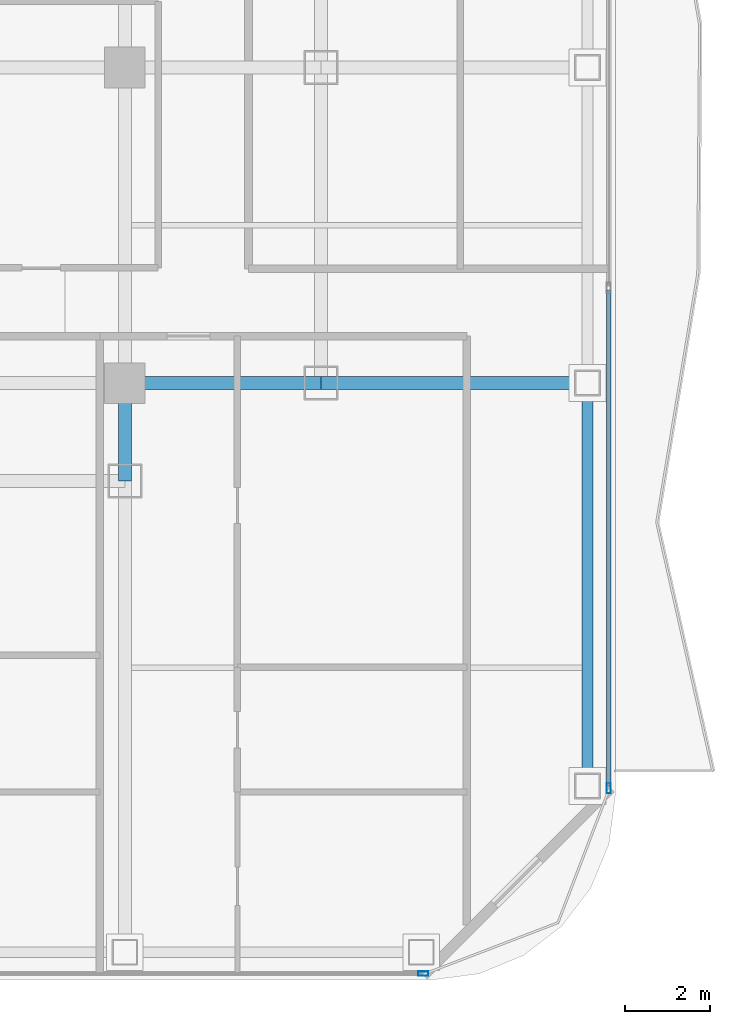
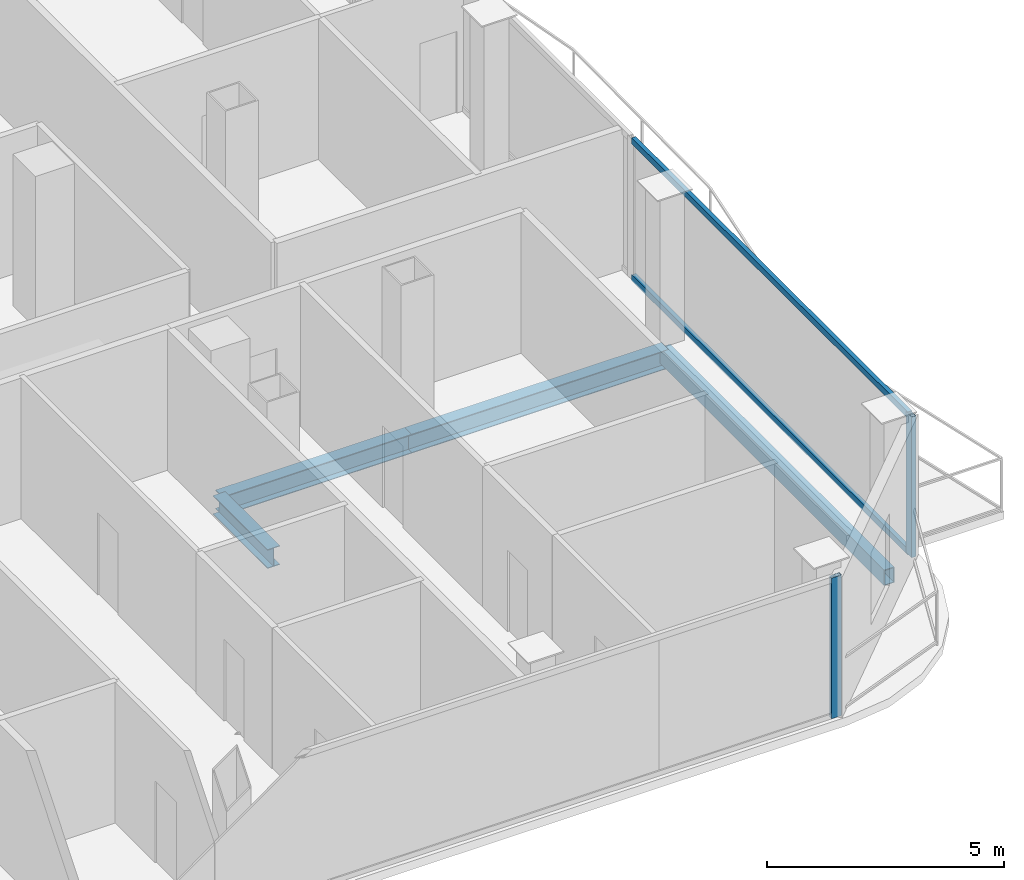
# One storey, part 10 of 26: 4 beams, 4 members, 2 elements without a shape of their own.
"""IFC4 building model written with IfcOpenShell, lengths in metres."""

from ifc_helpers import new_model, si_unit, direction, frame, origin, origin_2d, place, context, subcontext, project, spatial, hollow_rectangle, i_section, extrude, material, layer, layer_set, material_profile, profile_set, type_object, element, aggregate, save


model = new_model("IFC4")

# Units and contexts
model_context = context("Model", 3, precision=1e-05, world=origin(), true_north=direction((0.0, 1.0)))
body_context = subcontext(model_context, "Body", "Model", "MODEL_VIEW")
ifc_project = project(units=[si_unit("LENGTHUNIT", "METRE"), si_unit("AREAUNIT", "SQUARE_METRE"), si_unit("VOLUMEUNIT", "CUBIC_METRE"), si_unit("PLANEANGLEUNIT", "RADIAN"), si_unit("MASSUNIT", "GRAM", prefix="KILO")], contexts=[model_context])

# Site, building, storey
site_placement = place(None, origin())
site = spatial("IfcSite", under=ifc_project, at=site_placement, CompositionType="ELEMENT")
building_placement = place(site_placement, origin())
building = spatial("IfcBuilding", under=site, at=building_placement, Name="Khorvyn Point Tower", CompositionType="ELEMENT")
storey_placement = place(building_placement, frame((0.0, 0.0, 250.800048828125)))
storey = spatial("IfcBuildingStorey", under=building, at=storey_placement, Name="L61", CompositionType="ELEMENT", Elevation=250.800048828125)

# Curtain wall, member
ifc_material_1 = material(Name="Anodised aluminium 6063-T6 and laminated Low-E glass", Category="aluminium")
ifc_layer = layer(ifc_material_1, 0.18994140625)
ifc_layer_set = layer_set([ifc_layer], Name="Stick-Built Acoustic Curtain Wall CW-SYS-03")
curtain_wall_type = type_object("IfcCurtainWallType", Name="Stick-Built Acoustic Curtain Wall CW-SYS-03", PredefinedType="NOTDEFINED", material=ifc_layer_set)
curtain_wall_1_placement = place(storey_placement, origin())
curtain_wall_1 = element("IfcCurtainWall", 1, at=curtain_wall_1_placement, inside=storey, type_object=curtain_wall_type, Name="Curtain Wall", PredefinedType="NOTDEFINED")
ifc_material_2 = material(Name="Anodised aluminium 6063-T6", Category="aluminium")
ifc_material_profile_1 = material_profile(ifc_material_2, hollow_rectangle(XDim=0.10009765625, YDim=0.239990234375, WallThickness=0.0048828125, at=origin_2d()))
ifc_profile_set_1 = profile_set([ifc_material_profile_1], Name="Anodised aluminium 6063-T6 ALU-MUL-100x240")
member_type_1 = type_object("IfcMemberType", Name="Anodised Aluminium 6063-T6 Mullion ALU-MUL-100x240", PredefinedType="MULLION", material=ifc_profile_set_1)
member_1_placement = place(storey_placement, frame((21.800048828125, -28.64990234375, 0.0), z_axis=(0.0, 0.0, 1.0), x_axis=(0.0, -1.0, 0.0)))
member_1 = element("IfcMember", 2, at=member_1_placement, type_object=member_type_1, Name="Transom", PredefinedType="MULLION", context=body_context, shape_type="SweptSolid", body=[
    extrude(hollow_rectangle(XDim=0.10009765625, YDim=0.239990234375, WallThickness=0.0048828125, at=origin_2d()), origin(), (0.0, 0.0, 1.0), 3.619873046875),
])
aggregate(curtain_wall_1, [member_1])

# Curtain wall, members
curtain_wall_2_placement = place(storey_placement, origin())
curtain_wall_2 = element("IfcCurtainWall", 3, at=curtain_wall_2_placement, inside=storey, type_object=curtain_wall_type, Name="Curtain Wall", PredefinedType="NOTDEFINED")
member_2_placement = place(storey_placement, frame((26.14990234375, -24.300048828125, 0.0), z_axis=(0.0, 0.0, 1.0), x_axis=(1.0, 0.0, 0.0)))
member_2 = element("IfcMember", 4, at=member_2_placement, type_object=member_type_1, Name="Transom", PredefinedType="MULLION", context=body_context, shape_type="SweptSolid", body=[
    extrude(hollow_rectangle(XDim=0.10009765625, YDim=0.239990234375, WallThickness=0.0048828125, at=origin_2d()), origin(), (0.0, 0.0, 1.0), 3.619873046875),
])
ifc_material_profile_2 = material_profile(ifc_material_2, hollow_rectangle(XDim=0.10009765625, YDim=0.159912109375, WallThickness=0.00439453125, at=origin_2d()))
ifc_profile_set_2 = profile_set([ifc_material_profile_2], Name="Anodised aluminium 6063-T6 ALU-TRN-100x160")
member_type_2 = type_object("IfcMemberType", Name="Anodised Aluminium 6063-T6 Transom ALU-TRN-100x160", PredefinedType="USERDEFINED", material=ifc_profile_set_2)
member_3_placement = place(storey_placement, frame((26.14990234375, -12.618408203125, 0.050048828125), z_axis=(0.0, -1.0, 0.0), x_axis=(1.0, 0.0, 0.0)))
member_3 = element("IfcMember", 5, at=member_3_placement, type_object=member_type_2, Name="Transom", ObjectType="TRANSOM", PredefinedType="USERDEFINED", context=body_context, shape_type="SweptSolid", body=[
    extrude(hollow_rectangle(XDim=0.10009765625, YDim=0.159912109375, WallThickness=0.00439453125, at=origin_2d()), origin(), (0.0, 0.0, 1.0), 11.631591796875),
])
member_4_placement = place(storey_placement, frame((26.14990234375, -12.618408203125, 3.570068359375), z_axis=(0.0, -1.0, 0.0), x_axis=(1.0, 0.0, 0.0)))
member_4 = element("IfcMember", 6, at=member_4_placement, type_object=member_type_2, Name="Transom", ObjectType="TRANSOM", PredefinedType="USERDEFINED", context=body_context, shape_type="SweptSolid", body=[
    extrude(hollow_rectangle(XDim=0.10009765625, YDim=0.159912109375, WallThickness=0.00439453125, at=origin_2d()), origin(), (0.0, 0.0, 1.0), 11.631591796875),
])
aggregate(curtain_wall_2, [member_2, member_3, member_4])

# Beams
ifc_material_3 = material(Name="Steel S355", Category="steel")
ifc_material_profile_3 = material_profile(ifc_material_3, i_section(OverallWidth=0.300048828125, OverallDepth=0.488037109375, WebThickness=0.010986328125, FlangeThickness=0.01806640625, at=origin_2d()))
ifc_profile_set_3 = profile_set([ifc_material_profile_3], Name="Steel S355 H488x300x11x18")
beam_type_1 = type_object("IfcBeamType", Name="Steel S355 Spandrel H488x300x11x18", PredefinedType="SPANDREL", material=ifc_profile_set_3)
beam_1_placement = place(storey_placement, frame((14.800048828125, -14.800048828125, -0.464111328125), z_axis=(1.0, 0.0, 0.0), x_axis=(0.0, 1.0, 0.0)))
element("IfcBeam", 7, at=beam_1_placement, inside=storey, type_object=beam_type_1, Name="Beam", PredefinedType="SPANDREL", context=body_context, shape_type="SweptSolid", body=[
    extrude(i_section(OverallWidth=0.300048828125, OverallDepth=0.488037109375, WebThickness=0.010986328125, FlangeThickness=0.01806640625, at=origin_2d()), origin(), (0.0, 0.0, 1.0), 4.599853515625),
])
beam_2_placement = place(storey_placement, frame((19.39990234375, -14.800048828125, -0.464111328125), z_axis=(1.0, 0.0, 0.0), x_axis=(0.0, 1.0, 0.0)))
element("IfcBeam", 8, at=beam_2_placement, inside=storey, type_object=beam_type_1, Name="Beam", PredefinedType="SPANDREL", context=body_context, shape_type="SweptSolid", body=[
    extrude(i_section(OverallWidth=0.300048828125, OverallDepth=0.488037109375, WebThickness=0.010986328125, FlangeThickness=0.01806640625, at=origin_2d()), origin(), (0.0, 0.0, 1.0), 6.25),
])
beam_3_placement = place(storey_placement, frame((14.800048828125, -17.10009765625, -0.464111328125), z_axis=(0.0, 1.0, 0.0), x_axis=(-1.0, 0.0, 0.0)))
element("IfcBeam", 9, at=beam_3_placement, inside=storey, type_object=beam_type_1, Name="Beam", PredefinedType="SPANDREL", context=body_context, shape_type="SweptSolid", body=[
    extrude(i_section(OverallWidth=0.300048828125, OverallDepth=0.488037109375, WebThickness=0.010986328125, FlangeThickness=0.01806640625, at=origin_2d()), origin(), (0.0, 0.0, 1.0), 2.300048828125),
])
ifc_material_profile_4 = material_profile(ifc_material_3, hollow_rectangle(XDim=0.25, YDim=0.39990234375, WallThickness=0.01611328125, at=origin_2d()))
ifc_profile_set_4 = profile_set([ifc_material_profile_4], Name="Steel S355 RHS400x250x16")
beam_type_2 = type_object("IfcBeamType", Name="Steel S355 Spandrel RHS400x250x16", PredefinedType="SPANDREL", material=ifc_profile_set_4)
beam_4_placement = place(storey_placement, frame((25.64990234375, -24.25, -0.420166015625), z_axis=(0.0, 1.0, 0.0), x_axis=(-1.0, 0.0, 0.0)))
element("IfcBeam", 10, at=beam_4_placement, inside=storey, type_object=beam_type_2, Name="Beam", PredefinedType="SPANDREL", context=body_context, shape_type="SweptSolid", body=[
    extrude(hollow_rectangle(XDim=0.25, YDim=0.39990234375, WallThickness=0.01611328125, at=origin_2d()), origin(), (0.0, 0.0, 1.0), 9.449951171875),
])

save(model, "model.ifc")
